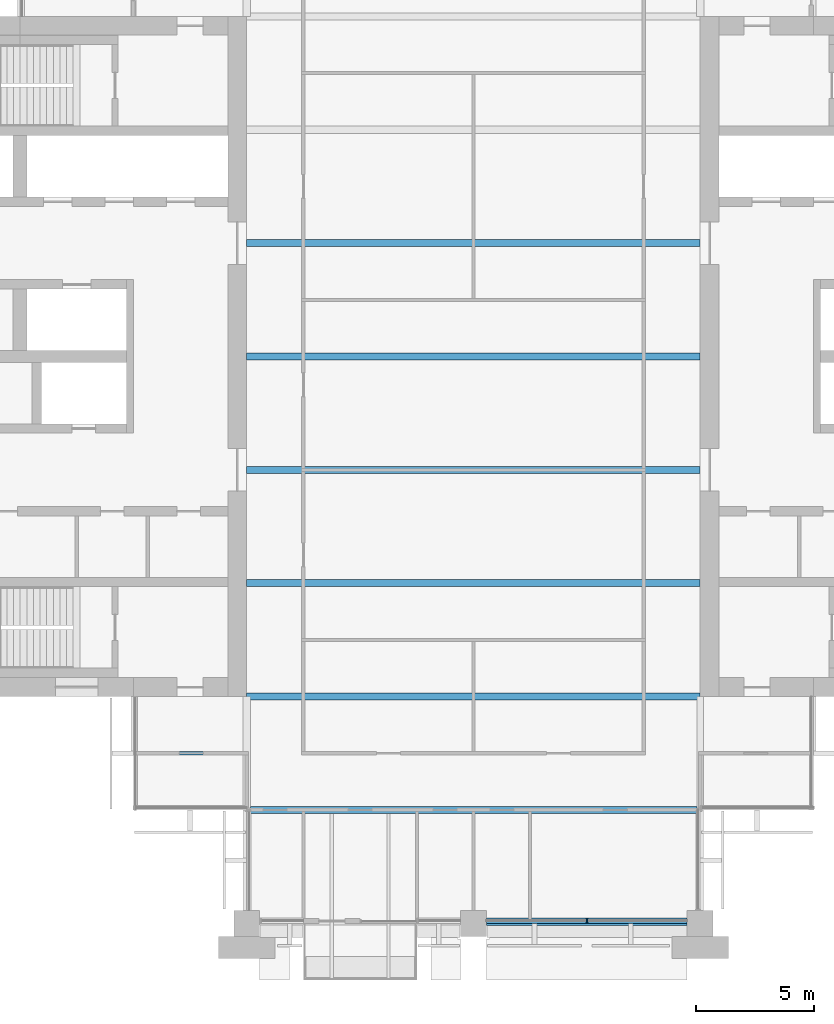
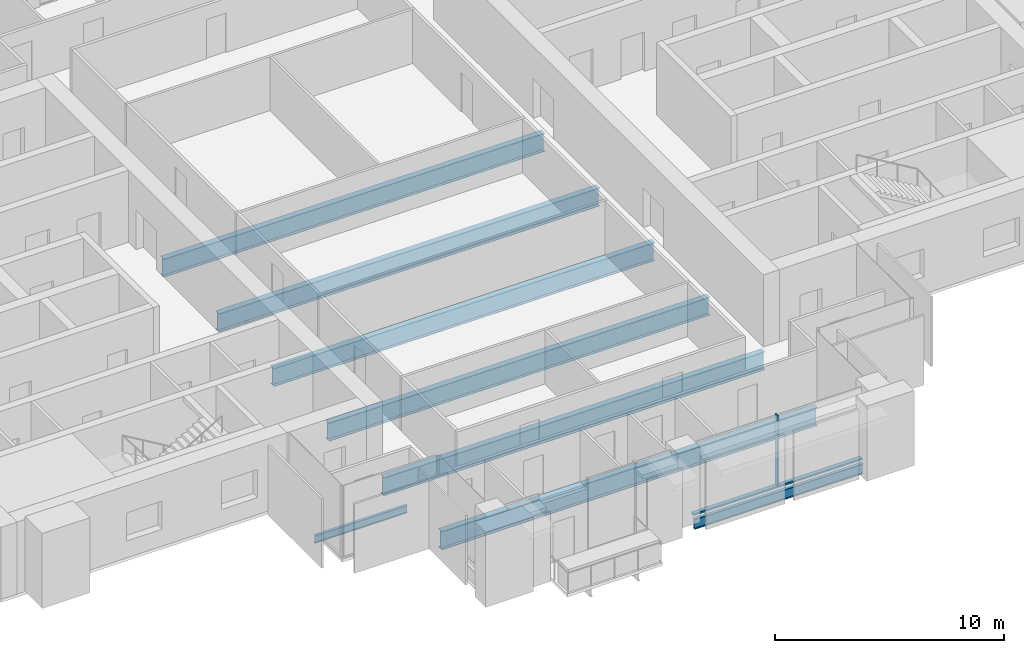
# One storey, part 3 of 14: 8 beams, 2 members, 1 element without a shape of its own.
"""IFC4 building model written with IfcOpenShell, lengths in metres."""

from ifc_helpers import new_model, si_unit, direction, frame, origin, origin_2d, place, context, subcontext, project, spatial, rectangle, i_section, extrude, material, material_profile, profile_set, type_object, element, aggregate, save


model = new_model("IFC4")

# Units and contexts
model_context = context("Model", 3, precision=1e-05, world=origin(), true_north=direction((0.0, 1.0)))
body_context = subcontext(model_context, "Body", "Model", "MODEL_VIEW")
ifc_project = project(units=[si_unit("LENGTHUNIT", "METRE"), si_unit("AREAUNIT", "SQUARE_METRE"), si_unit("VOLUMEUNIT", "CUBIC_METRE"), si_unit("PLANEANGLEUNIT", "RADIAN"), si_unit("MASSUNIT", "GRAM", prefix="KILO")], contexts=[model_context])

# Site, building, storey
site_placement = place(None, origin())
site = spatial("IfcSite", under=ifc_project, at=site_placement, CompositionType="ELEMENT")
building_placement = place(site_placement, origin())
building = spatial("IfcBuilding", under=site, at=building_placement, Name="Baori Bourse Tower", CompositionType="ELEMENT")
storey_placement = place(building_placement, frame((0.0, 0.0, 257.199951171875)))
storey = spatial("IfcBuildingStorey", under=building, at=storey_placement, Name="L57", CompositionType="ELEMENT", Elevation=257.199951171875)

# Curtain wall, members
ifc_material_1 = material(Name="Pale anodised aluminium", Category="aluminium")
curtain_wall_type = type_object("IfcCurtainWallType", Name="CW5 Curtain wall", PredefinedType="NOTDEFINED", material=ifc_material_1)
curtain_wall_placement = place(storey_placement, origin())
curtain_wall = element("IfcCurtainWall", 1, at=curtain_wall_placement, inside=storey, type_object=curtain_wall_type, Name="Curtain wall CW5 L57 15", PredefinedType="NOTDEFINED")
ifc_material_2 = material(Name="Pale anodised aluminium", Category="aluminium")
ifc_material_profile_1 = material_profile(ifc_material_2, rectangle(XDim=0.219970703125, YDim=0.06494140625, at=origin_2d()), Name="Mullion 65x220")
ifc_profile_set_1 = profile_set([ifc_material_profile_1], Name="Pale anodised aluminium")
member_type_1 = type_object("IfcMemberType", Name="CW5 Curtain wall mullion", PredefinedType="MULLION", material=ifc_profile_set_1)
member_1_placement = place(storey_placement, frame((33.60009765625, 0.110107421875, 0.0849609375), z_axis=(0.0, 0.0, 1.0), x_axis=(0.0, 1.0, 0.0)))
member_1 = element("IfcMember", 2, at=member_1_placement, type_object=member_type_1, Name="Curtain wall CW5 mullion", PredefinedType="MULLION", context=body_context, shape_type="SweptSolid", body=[
    extrude(rectangle(XDim=0.219970703125, YDim=0.06494140625, at=origin_2d()), origin(), (0.0, 0.0, 1.0), 3.755126953125),
])
ifc_material_3 = material(Name="Pale anodised aluminium", Category="aluminium")
ifc_material_profile_2 = material_profile(ifc_material_3, rectangle(XDim=0.219970703125, YDim=0.0849609375, at=origin_2d()), Name="Transom 85x220")
ifc_profile_set_2 = profile_set([ifc_material_profile_2], Name="Pale anodised aluminium")
member_type_2 = type_object("IfcMemberType", Name="CW5 Curtain wall transom", PredefinedType="USERDEFINED", material=ifc_profile_set_2)
member_2_placement = place(storey_placement, frame((29.35009765625, 0.110107421875, 0.04248046875), z_axis=(1.0, 0.0, 0.0), x_axis=(0.0, 1.0, 0.0)))
member_2 = element("IfcMember", 3, at=member_2_placement, type_object=member_type_2, Name="Curtain wall CW5 sill rail", ObjectType="TRANSOM", PredefinedType="USERDEFINED", context=body_context, shape_type="SweptSolid", body=[
    extrude(rectangle(XDim=0.219970703125, YDim=0.0849609375, at=origin_2d()), origin(), (0.0, 0.0, 1.0), 8.5),
])
aggregate(curtain_wall, [member_2, member_1])

# Beams
ifc_material_4 = material(Name="Steel A992 Gr 50", Category="steel")
ifc_material_profile_3 = material_profile(ifc_material_4, i_section(OverallWidth=0.1650390625, OverallDepth=0.52587890625, WebThickness=0.0087890625, FlangeThickness=0.011474609375, at=origin_2d()), Name="W21x44")
ifc_profile_set_3 = profile_set([ifc_material_profile_3], Name="Steel A992 Gr 50")
beam_type_1 = type_object("IfcBeamType", Name="Edge beam W21x44", PredefinedType="BEAM", material=ifc_profile_set_3)
beam_1_placement = place(storey_placement, frame((29.35009765625, 0.0, -0.4228515625), z_axis=(1.0, 0.0, 0.0), x_axis=(0.0, 1.0, 0.0)))
element("IfcBeam", 4, at=beam_1_placement, inside=storey, type_object=beam_type_1, Name="Edge beam L57", PredefinedType="BEAM", context=body_context, shape_type="SweptSolid", body=[
    extrude(i_section(OverallWidth=0.1650390625, OverallDepth=0.52587890625, WebThickness=0.0087890625, FlangeThickness=0.011474609375, at=origin_2d()), origin(), (0.0, 0.0, 1.0), 8.5),
])
ifc_material_5 = material(Name="Steel A992 Gr 50", Category="steel")
ifc_material_profile_4 = material_profile(ifc_material_5, i_section(OverallWidth=0.2998046875, OverallDepth=0.97021484375, WebThickness=0.01611328125, FlangeThickness=0.02099609375, at=origin_2d()), Name="W40x149")
ifc_profile_set_4 = profile_set([ifc_material_profile_4], Name="Steel A992 Gr 50")
beam_type_2 = type_object("IfcBeamType", Name="Floor beam W40x149", PredefinedType="BEAM", material=ifc_profile_set_4)
for number, where, z_axis, x_axis, name in (
    (5, (19.199951171875, 9.60009765625, -0.64501953125), (1.0, 0.0, 0.0), (0.0, 1.0, 0.0), "Floor beam L57"),
    (6, (19.199951171875, 14.39990234375, -0.64501953125), (1.0, 0.0, 0.0), (0.0, 1.0, 0.0), "Floor beam L57"),
    (7, (19.199951171875, 19.199951171875, -0.64501953125), (1.0, 0.0, 0.0), (0.0, 1.0, 0.0), "Floor beam L57"),
    (8, (19.199951171875, 24.0, -0.64501953125), (1.0, 0.0, 0.0), (0.0, 1.0, 0.0), "Floor beam L57"),
    (9, (19.199951171875, 28.800048828125, -0.64501953125), (1.0, 0.0, 0.0), (0.0, 1.0, 0.0), "Floor beam L57"),
):
    element("IfcBeam", number, at=place(storey_placement, frame(where, z_axis=z_axis, x_axis=x_axis)), inside=storey, type_object=beam_type_2, Name=name, PredefinedType="BEAM", context=body_context, shape_type="SweptSolid", body=[
        extrude(i_section(OverallWidth=0.2998046875, OverallDepth=0.97021484375, WebThickness=0.01611328125, FlangeThickness=0.02099609375, at=origin_2d()), origin(), (0.0, 0.0, 1.0), 19.199951171875),
    ])
ifc_material_6 = material(Name="Steel A992 Gr 50", Category="steel")
ifc_material_profile_5 = material_profile(ifc_material_6, i_section(OverallWidth=0.2998046875, OverallDepth=0.990478515625, WebThickness=0.0166015625, FlangeThickness=0.030517578125, at=origin_2d()), Name="W40x183")
ifc_profile_set_5 = profile_set([ifc_material_profile_5], Name="Steel A992 Gr 50")
beam_type_3 = type_object("IfcBeamType", Name="Floor beam W40x183", PredefinedType="BEAM", material=ifc_profile_set_5)
beam_2_placement = place(storey_placement, frame((19.352294921875, 4.800048828125, -0.6552734375), z_axis=(1.0, 0.0, 0.0), x_axis=(0.0, 1.0, 0.0)))
element("IfcBeam", 10, at=beam_2_placement, inside=storey, type_object=beam_type_3, Name="Floor beam L57", PredefinedType="BEAM", context=body_context, shape_type="SweptSolid", body=[
    extrude(i_section(OverallWidth=0.2998046875, OverallDepth=0.990478515625, WebThickness=0.0166015625, FlangeThickness=0.030517578125, at=origin_2d()), origin(), (0.0, 0.0, 1.0), 18.914306640625),
])
ifc_material_7 = material(Name="Steel A992 Gr 50", Category="steel")
ifc_material_profile_6 = material_profile(ifc_material_7, i_section(OverallWidth=0.140380859375, OverallDepth=0.40380859375, WebThickness=0.007080078125, FlangeThickness=0.01123046875, at=origin_2d()), Name="W16x31")
ifc_profile_set_6 = profile_set([ifc_material_profile_6], Name="Steel A992 Gr 50")
beam_type_4 = type_object("IfcBeamType", Name="Trimmer beam W16x31", PredefinedType="BEAM", material=ifc_profile_set_6)
beam_3_placement = place(storey_placement, frame((14.39990234375, 7.199951171875, -0.36181640625), z_axis=(1.0, 0.0, 0.0), x_axis=(0.0, 1.0, 0.0)))
element("IfcBeam", 11, at=beam_3_placement, inside=storey, type_object=beam_type_4, Name="Trimmer beam L57", PredefinedType="BEAM", context=body_context, shape_type="SweptSolid", body=[
    extrude(i_section(OverallWidth=0.140380859375, OverallDepth=0.40380859375, WebThickness=0.007080078125, FlangeThickness=0.01123046875, at=origin_2d()), origin(), (0.0, 0.0, 1.0), 4.647705078125),
])

save(model, "model.ifc")
